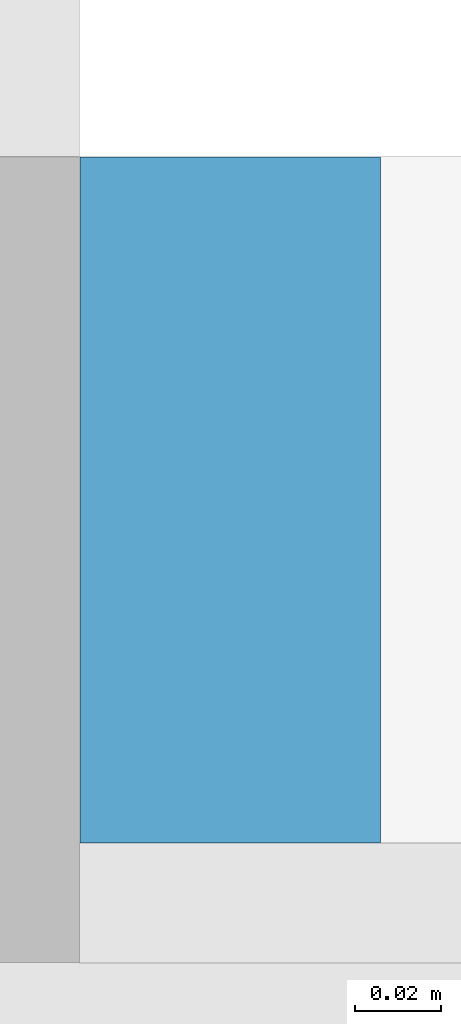
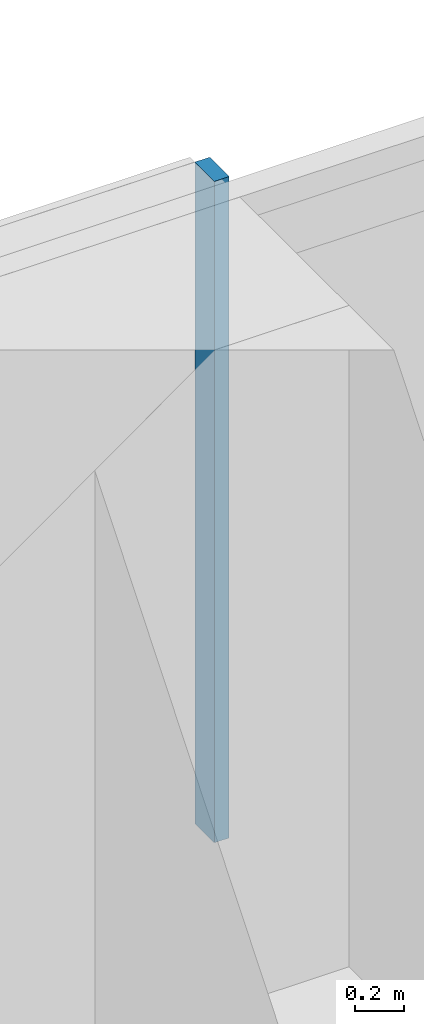
# One storey, part 11 of 25: 1 member, 1 element without a shape of its own.
"""IFC4 building model written with IfcOpenShell, lengths in metres."""

from ifc_helpers import new_model, si_unit, direction, frame, origin, origin_2d, place, context, subcontext, project, spatial, rectangle, extrude, material, material_profile, profile_set, type_object, element, aggregate, save


model = new_model("IFC4")

# Units and contexts
model_context = context("Model", 3, precision=1e-05, world=origin(), true_north=direction((0.0, 1.0)))
body_context = subcontext(model_context, "Body", "Model", "MODEL_VIEW")
ifc_project = project(units=[si_unit("LENGTHUNIT", "METRE"), si_unit("AREAUNIT", "SQUARE_METRE"), si_unit("VOLUMEUNIT", "CUBIC_METRE"), si_unit("PLANEANGLEUNIT", "RADIAN"), si_unit("MASSUNIT", "GRAM", prefix="KILO")], contexts=[model_context])

# Site, building, storey
site_placement = place(None, origin())
site = spatial("IfcSite", under=ifc_project, at=site_placement, CompositionType="ELEMENT")
building_placement = place(site_placement, origin())
building = spatial("IfcBuilding", under=site, at=building_placement, Name="Saffron Gate Tower", CompositionType="ELEMENT")
storey_placement = place(building_placement, frame((0.0, 0.0, 80.39990234375)))
storey = spatial("IfcBuildingStorey", under=building, at=storey_placement, Name="L19", CompositionType="ELEMENT", Elevation=80.39990234375)

# Curtain wall, member
ifc_material = material(Name="Aluminium, bronze anodised", Category="aluminium")
curtain_wall_type = type_object("IfcCurtainWallType", Name="CWS3 curtain wall rear facade", PredefinedType="NOTDEFINED", material=ifc_material)
curtain_wall_placement = place(storey_placement, origin())
curtain_wall = element("IfcCurtainWall", 1, at=curtain_wall_placement, inside=storey, type_object=curtain_wall_type, Name="CWS3 run 7", PredefinedType="NOTDEFINED")
ifc_material_profile = material_profile(ifc_material, rectangle(XDim=0.159912109375, YDim=0.070068359375, at=origin_2d()))
ifc_profile_set = profile_set([ifc_material_profile], Name="Aluminium, bronze anodised")
member_type = type_object("IfcMemberType", Name="CWS3 mullion 70x160", PredefinedType="MULLION", material=ifc_profile_set)
member_placement = place(storey_placement, frame((108.60009765625, 75.52001953125, 0.0), z_axis=(0.0, 0.0, 1.0), x_axis=(0.0, -1.0, 0.0)))
member = element("IfcMember", 2, at=member_placement, type_object=member_type, Name="CWS3 mullion 3", PredefinedType="MULLION", context=body_context, shape_type="SweptSolid", body=[
    extrude(rectangle(XDim=0.159912109375, YDim=0.070068359375, at=origin_2d()), origin(), (0.0, 0.0, 1.0), 3.300048828125),
])
aggregate(curtain_wall, [member])

save(model, "model.ifc")
